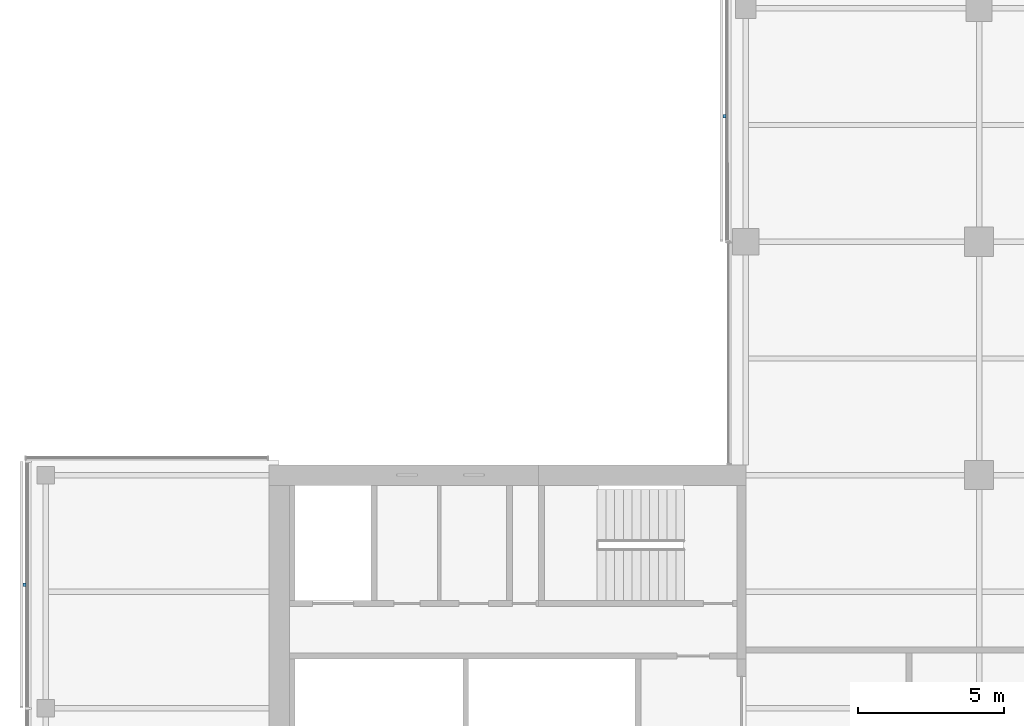
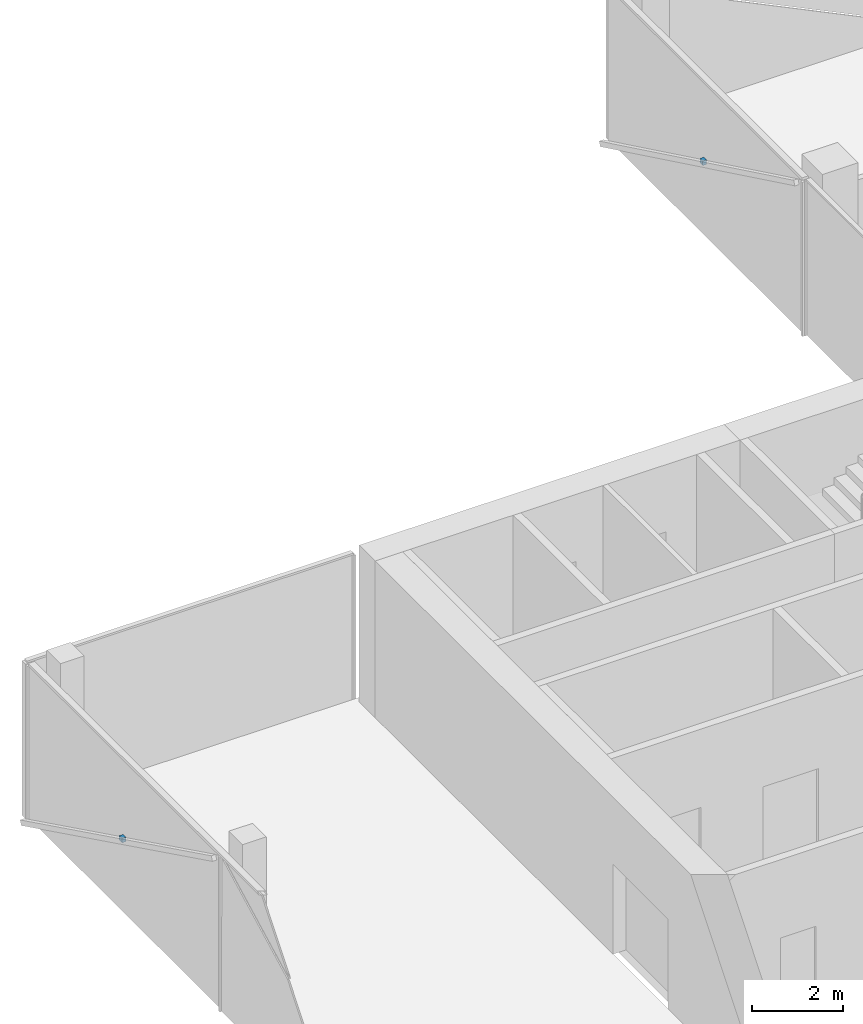
# One storey, part 19 of 22: 2 discrete accessories.
"""IFC4 building model written with IfcOpenShell, lengths in metres."""

from ifc_helpers import new_model, si_unit, direction, frame, origin, origin_2d, place, context, subcontext, project, spatial, rectangle, extrude, material, type_object, element, save


model = new_model("IFC4")

# Units and contexts
model_context = context("Model", 3, precision=1e-05, world=origin(), true_north=direction((0.0, 1.0)))
body_context = subcontext(model_context, "Body", "Model", "MODEL_VIEW")
ifc_project = project(units=[si_unit("LENGTHUNIT", "METRE"), si_unit("AREAUNIT", "SQUARE_METRE"), si_unit("VOLUMEUNIT", "CUBIC_METRE"), si_unit("PLANEANGLEUNIT", "RADIAN"), si_unit("MASSUNIT", "GRAM", prefix="KILO")], contexts=[model_context])

# Site, building, storey
site_placement = place(None, origin())
site = spatial("IfcSite", under=ifc_project, at=site_placement, CompositionType="ELEMENT")
building_placement = place(site_placement, origin())
building = spatial("IfcBuilding", under=site, at=building_placement, Name="Crosswind Convention Tower", CompositionType="ELEMENT")
storey_placement = place(building_placement, frame((0.0, 0.0, 116.89990234375)))
storey = spatial("IfcBuildingStorey", under=building, at=storey_placement, Name="L23", CompositionType="ELEMENT", Elevation=116.89990234375)

# Discrete accessories
ifc_material = material(Name="Stainless steel", Category="steel")
discrete_accessory_type = type_object("IfcDiscreteAccessoryType", Name="BAGUETTE BRACKET BK3", PredefinedType="BRACKET", material=ifc_material)
for number, where, z_axis, x_axis, name in (
    (1, (112.27392578125, 124.304931640625, 1.705078125), (0.0, 0.0, 1.0), (0.0, -1.0, 0.0), "BK3 baguette bracket"),
    (2, (88.27392578125, 108.232421875, 1.705078125), (0.0, 0.0, 1.0), (0.0, -1.0, 0.0), "BK3 baguette bracket"),
):
    element("IfcDiscreteAccessory", number, at=place(storey_placement, frame(where, z_axis=z_axis, x_axis=x_axis)), inside=storey, type_object=discrete_accessory_type, Name=name, PredefinedType="BRACKET", context=body_context, shape_type="SweptSolid", body=[
        extrude(rectangle(XDim=0.1201171875, YDim=0.10009765625, at=origin_2d()), origin(), (0.0, 0.0, 1.0), 0.1201171875),
    ])

save(model, "model.ifc")
